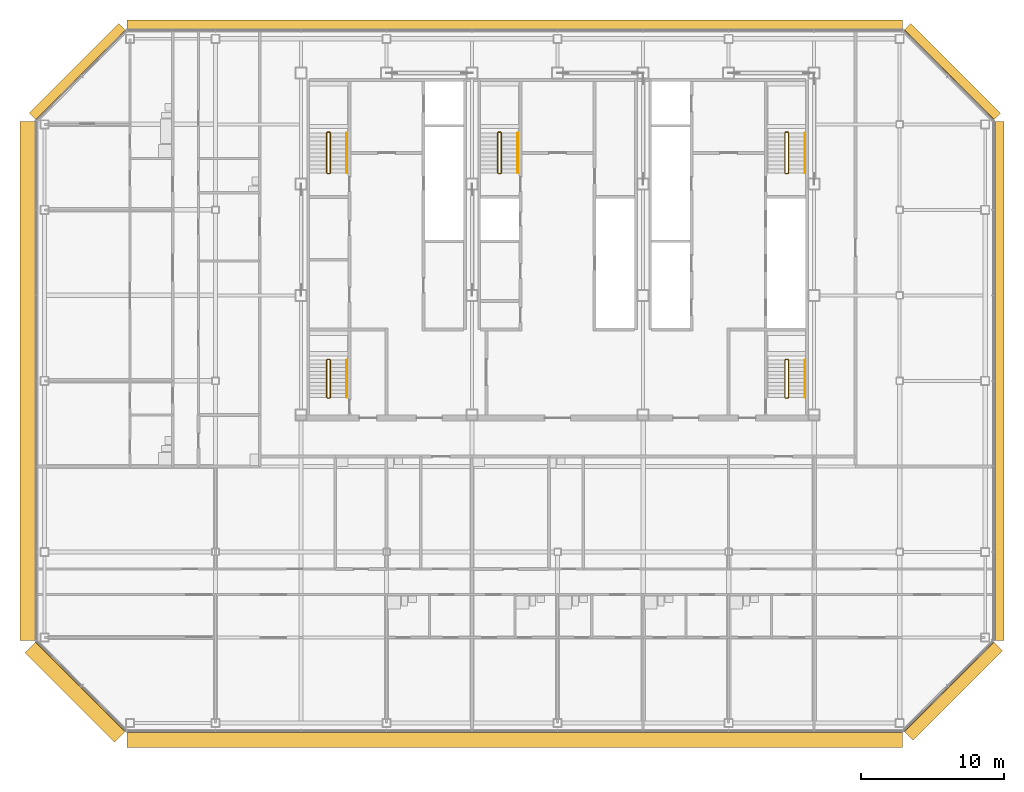
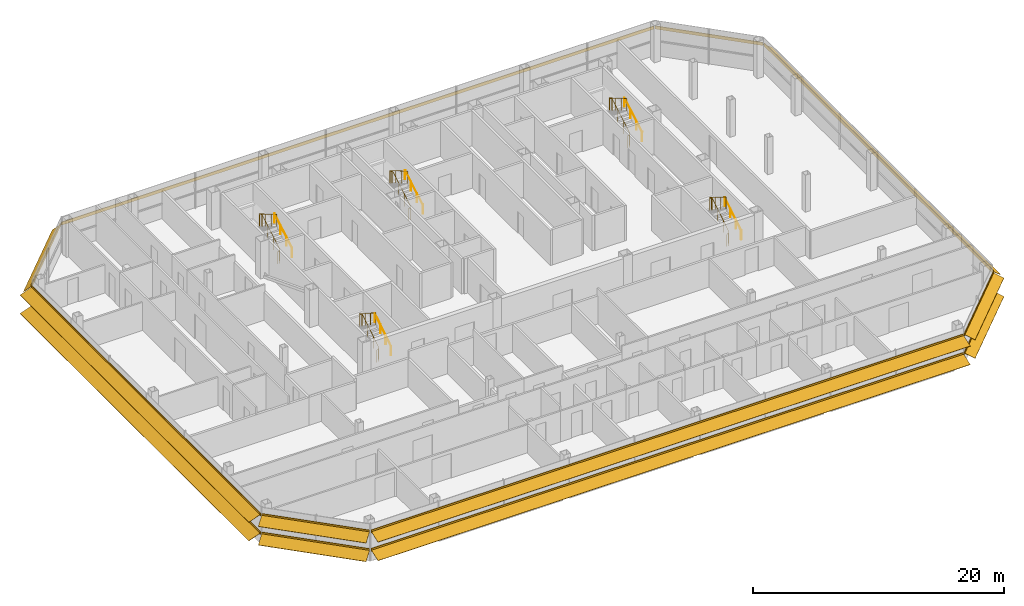
# One storey, part 27 of 28: 10 railings, 8 shading devices.
"""IFC4 building model written with IfcOpenShell, lengths in metres."""

from ifc_helpers import new_model, si_unit, direction, frame, origin, origin_2d, place, context, subcontext, project, spatial, polyline, circle, outline, composite_profile, extrude, material, type_object, element, save


model = new_model("IFC4")

# Units and contexts
model_context = context("Model", 3, precision=1e-05, world=origin(), true_north=direction((0.0, 1.0)))
body_context = subcontext(model_context, "Body", "Model", "MODEL_VIEW")
ifc_project = project(units=[si_unit("LENGTHUNIT", "METRE"), si_unit("AREAUNIT", "SQUARE_METRE"), si_unit("VOLUMEUNIT", "CUBIC_METRE"), si_unit("PLANEANGLEUNIT", "RADIAN"), si_unit("MASSUNIT", "GRAM", prefix="KILO")], contexts=[model_context])

# Site, building, storey
site_placement = place(None, origin())
site = spatial("IfcSite", under=ifc_project, at=site_placement, CompositionType="ELEMENT")
building_placement = place(site_placement, origin())
building = spatial("IfcBuilding", under=site, at=building_placement, Name="Sorahane Residences", CompositionType="ELEMENT")
storey_placement = place(building_placement, frame((0.0, 0.0, 250.39990234375)))
storey = spatial("IfcBuildingStorey", under=building, at=storey_placement, Name="L59", CompositionType="ELEMENT", Elevation=250.39990234375)

# Shading devices
ifc_material_1 = material(Name="Terracotta anodised aluminium", Category="masonry")
shading_device_type_1 = type_object("IfcShadingDeviceType", Name="Louvre sunshade blade E terracotta aluminium 700", PredefinedType="JALOUSIE", material=ifc_material_1)
shading_device_1_placement = place(storey_placement, frame((54.60009765625, 5.801513671875, 2.7001953125), z_axis=(0.0, 1.0, 0.0), x_axis=(-1.0, 0.0, 0.0)))
element("IfcShadingDevice", 1, at=shading_device_1_placement, inside=storey, type_object=shading_device_type_1, Name="Louvre sunshade blade bank E L59 E1", PredefinedType="JALOUSIE", context=body_context, shape_type="SweptSolid", body=[
    extrude(outline(polyline([(-0.719970703125, -0.49365234375), (-0.719970703125, -0.523681640625), (-0.080078125, -0.05859375), (-0.080078125, -0.14990234375), (-0.02001953125, -0.14990234375), (-0.02001953125, -0.014892578125), (-0.02001953125, 0.014892578125), (-0.02001953125, 0.14990234375), (-0.080078125, 0.14990234375), (-0.080078125, -0.028564453125), (-0.719970703125, -0.49365234375)])), origin(), (0.0, 0.0, 1.0), 36.39697265625),
])
ifc_material_2 = material(Name="Terracotta anodised aluminium", Category="masonry")
shading_device_type_2 = type_object("IfcShadingDeviceType", Name="Louvre sunshade blade N terracotta aluminium 700", PredefinedType="JALOUSIE", material=ifc_material_2)
shading_device_2_placement = place(storey_placement, frame((48.198486328125, 48.60009765625, 2.7001953125), z_axis=(-1.0, 0.0, 0.0), x_axis=(0.0, -1.0, 0.0)))
element("IfcShadingDevice", 2, at=shading_device_2_placement, inside=storey, type_object=shading_device_type_2, Name="Louvre sunshade blade bank N L59 N1", PredefinedType="JALOUSIE", context=body_context, shape_type="SweptSolid", body=[
    extrude(outline(polyline([(-0.719970703125, -0.660888671875), (-0.719970703125, -0.69091796875), (-0.080078125, -0.072998046875), (-0.080078125, -0.14990234375), (-0.02001953125, -0.14990234375), (-0.02001953125, -0.014892578125), (-0.02001953125, 0.014892578125), (-0.02001953125, 0.14990234375), (-0.080078125, 0.14990234375), (-0.080078125, -0.04296875), (-0.719970703125, -0.660888671875)])), origin(), (0.0, 0.0, 1.0), 54.39697265625),
])
ifc_material_3 = material(Name="Terracotta anodised aluminium", Category="masonry")
shading_device_type_3 = type_object("IfcShadingDeviceType", Name="Louvre sunshade blade NE terracotta aluminium 700", PredefinedType="JALOUSIE", material=ifc_material_3)
shading_device_3_placement = place(storey_placement, frame((54.564697265625, 42.283935546875, 2.7001953125), z_axis=(-0.707106781187, 0.707106781187, 0.0), x_axis=(-0.707106781187, -0.707106781187, 0.0)))
element("IfcShadingDevice", 3, at=shading_device_3_placement, inside=storey, type_object=shading_device_type_3, Name="Louvre sunshade blade bank NE L59 NE1", PredefinedType="JALOUSIE", context=body_context, shape_type="SweptSolid", body=[
    extrude(outline(polyline([(-0.719970703125, -0.572509765625), (-0.719970703125, -0.602294921875), (-0.080078125, -0.065185546875), (-0.080078125, -0.14990234375), (-0.02001953125, -0.14990234375), (-0.02001953125, -0.014892578125), (-0.02001953125, 0.014892578125), (-0.02001953125, 0.14990234375), (-0.080078125, 0.14990234375), (-0.080078125, -0.035400390625), (-0.719970703125, -0.572509765625)])), origin(), (0.0, 0.0, 1.0), 8.88232421875),
])
ifc_material_4 = material(Name="Terracotta anodised aluminium", Category="masonry")
shading_device_type_4 = type_object("IfcShadingDeviceType", Name="Louvre sunshade blade NW terracotta aluminium 700", PredefinedType="JALOUSIE", material=ifc_material_4)
shading_device_4_placement = place(storey_placement, frame((-6.283935546875, 48.564697265625, 2.7001953125), z_axis=(-0.707106781187, -0.707106781187, 0.0), x_axis=(0.707106781187, -0.707106781187, 0.0)))
element("IfcShadingDevice", 4, at=shading_device_4_placement, inside=storey, type_object=shading_device_type_4, Name="Louvre sunshade blade bank NW L59 NW1", PredefinedType="JALOUSIE", context=body_context, shape_type="SweptSolid", body=[
    extrude(outline(polyline([(-0.719970703125, -0.660888671875), (-0.719970703125, -0.69091796875), (-0.080078125, -0.072998046875), (-0.080078125, -0.14990234375), (-0.02001953125, -0.14990234375), (-0.02001953125, -0.014892578125), (-0.02001953125, 0.014892578125), (-0.02001953125, 0.14990234375), (-0.080078125, 0.14990234375), (-0.080078125, -0.04296875), (-0.719970703125, -0.660888671875)])), origin(), (0.0, 0.0, 1.0), 8.88232421875),
])
ifc_material_5 = material(Name="Terracotta anodised aluminium", Category="masonry")
shading_device_type_5 = type_object("IfcShadingDeviceType", Name="Louvre sunshade blade S terracotta aluminium 1100", PredefinedType="JALOUSIE", material=ifc_material_5)
shading_device_5_placement = place(storey_placement, frame((-6.198486328125, -0.60009765625, 0.900146484375), z_axis=(1.0, 0.0, 0.0), x_axis=(0.0, 1.0, 0.0)))
element("IfcShadingDevice", 5, at=shading_device_5_placement, inside=storey, type_object=shading_device_type_5, Name="Louvre sunshade blade bank S L59 S1", PredefinedType="JALOUSIE", context=body_context, shape_type="SweptSolid", body=[
    extrude(composite_profile([outline(polyline([(-1.1201171875, -0.385498046875), (-1.1201171875, -0.415283203125), (-0.080078125, -0.036865234375), (-0.080078125, -0.14990234375), (-0.02001953125, -0.14990234375), (-0.02001953125, -0.014892578125), (-0.02001953125, 0.014892578125), (-0.02001953125, 0.14990234375), (-0.080078125, 0.14990234375), (-0.080078125, -0.0068359375), (-1.1201171875, -0.385498046875)])), outline(polyline([(-1.1201171875, 1.41455078125), (-1.1201171875, 1.384521484375), (-0.080078125, 1.76318359375), (-0.080078125, 1.64990234375), (-0.02001953125, 1.64990234375), (-0.02001953125, 1.784912109375), (-0.02001953125, 1.81494140625), (-0.02001953125, 1.949951171875), (-0.080078125, 1.949951171875), (-0.080078125, 1.793212890625), (-1.1201171875, 1.41455078125)]))]), origin(), (0.0, 0.0, 1.0), 54.39697265625),
])
ifc_material_6 = material(Name="Terracotta anodised aluminium", Category="masonry")
shading_device_type_6 = type_object("IfcShadingDeviceType", Name="Louvre sunshade blade SE terracotta aluminium 900", PredefinedType="JALOUSIE", material=ifc_material_6)
shading_device_6_placement = place(storey_placement, frame((48.283935546875, -0.564697265625, 0.900146484375), z_axis=(0.707106781187, 0.707106781187, 0.0), x_axis=(-0.707106781187, 0.707106781187, 0.0)))
element("IfcShadingDevice", 6, at=shading_device_6_placement, inside=storey, type_object=shading_device_type_6, Name="Louvre sunshade blade bank SE L59 SE1", PredefinedType="JALOUSIE", context=body_context, shape_type="SweptSolid", body=[
    extrude(composite_profile([outline(polyline([(-0.919921875, -0.3486328125), (-0.919921875, -0.378662109375), (-0.080078125, -0.039306640625), (-0.080078125, -0.14990234375), (-0.02001953125, -0.14990234375), (-0.02001953125, -0.014892578125), (-0.02001953125, 0.014892578125), (-0.02001953125, 0.14990234375), (-0.080078125, 0.14990234375), (-0.080078125, -0.00927734375), (-0.919921875, -0.3486328125)])), outline(polyline([(-0.919921875, 1.451416015625), (-0.919921875, 1.42138671875), (-0.080078125, 1.7607421875), (-0.080078125, 1.64990234375), (-0.02001953125, 1.64990234375), (-0.02001953125, 1.784912109375), (-0.02001953125, 1.81494140625), (-0.02001953125, 1.949951171875), (-0.080078125, 1.949951171875), (-0.080078125, 1.790771484375), (-0.919921875, 1.451416015625)]))]), origin(), (0.0, 0.0, 1.0), 8.88232421875),
])
ifc_material_7 = material(Name="Terracotta anodised aluminium", Category="masonry")
shading_device_type_7 = type_object("IfcShadingDeviceType", Name="Louvre sunshade blade SW terracotta aluminium 1100", PredefinedType="JALOUSIE", material=ifc_material_7)
shading_device_7_placement = place(storey_placement, frame((-12.564697265625, 5.716064453125, 0.900146484375), z_axis=(0.707106781187, -0.707106781187, 0.0), x_axis=(0.707106781187, 0.707106781187, 0.0)))
element("IfcShadingDevice", 7, at=shading_device_7_placement, inside=storey, type_object=shading_device_type_7, Name="Louvre sunshade blade bank SW L59 SW1", PredefinedType="JALOUSIE", context=body_context, shape_type="SweptSolid", body=[
    extrude(composite_profile([outline(polyline([(-1.1201171875, -0.385498046875), (-1.1201171875, -0.415283203125), (-0.080078125, -0.036865234375), (-0.080078125, -0.14990234375), (-0.02001953125, -0.14990234375), (-0.02001953125, -0.014892578125), (-0.02001953125, 0.014892578125), (-0.02001953125, 0.14990234375), (-0.080078125, 0.14990234375), (-0.080078125, -0.0068359375), (-1.1201171875, -0.385498046875)])), outline(polyline([(-1.1201171875, 1.41455078125), (-1.1201171875, 1.384521484375), (-0.080078125, 1.76318359375), (-0.080078125, 1.64990234375), (-0.02001953125, 1.64990234375), (-0.02001953125, 1.784912109375), (-0.02001953125, 1.81494140625), (-0.02001953125, 1.949951171875), (-0.080078125, 1.949951171875), (-0.080078125, 1.793212890625), (-1.1201171875, 1.41455078125)]))]), origin(), (0.0, 0.0, 1.0), 8.88232421875),
])
ifc_material_8 = material(Name="Terracotta anodised aluminium", Category="masonry")
shading_device_type_8 = type_object("IfcShadingDeviceType", Name="Louvre sunshade blade W terracotta aluminium 1100", PredefinedType="JALOUSIE", material=ifc_material_8)
shading_device_8_placement = place(storey_placement, frame((-12.60009765625, 42.198486328125, 0.900146484375), z_axis=(0.0, -1.0, 0.0), x_axis=(1.0, 0.0, 0.0)))
element("IfcShadingDevice", 8, at=shading_device_8_placement, inside=storey, type_object=shading_device_type_8, Name="Louvre sunshade blade bank W L59 W1", PredefinedType="JALOUSIE", context=body_context, shape_type="SweptSolid", body=[
    extrude(composite_profile([outline(polyline([(-1.1201171875, -0.385498046875), (-1.1201171875, -0.415283203125), (-0.080078125, -0.036865234375), (-0.080078125, -0.14990234375), (-0.02001953125, -0.14990234375), (-0.02001953125, -0.014892578125), (-0.02001953125, 0.014892578125), (-0.02001953125, 0.14990234375), (-0.080078125, 0.14990234375), (-0.080078125, -0.0068359375), (-1.1201171875, -0.385498046875)])), outline(polyline([(-1.1201171875, 1.41455078125), (-1.1201171875, 1.384521484375), (-0.080078125, 1.76318359375), (-0.080078125, 1.64990234375), (-0.02001953125, 1.64990234375), (-0.02001953125, 1.784912109375), (-0.02001953125, 1.81494140625), (-0.02001953125, 1.949951171875), (-0.080078125, 1.949951171875), (-0.080078125, 1.793212890625), (-1.1201171875, 1.41455078125)]))]), origin(), (0.0, 0.0, 1.0), 36.39697265625),
])

# Railings
ifc_material_9 = material(Name="Steel Q355B", Category="steel")
railing_type_1 = type_object("IfcRailingType", Name="Stair guard 1200 Steel Q355B", PredefinedType="GUARDRAIL", material=ifc_material_9)
railing_1_placement = place(storey_placement, frame((7.85009765625, 38.550048828125, 0.0)))
element("IfcRailing", 9, at=railing_1_placement, inside=storey, type_object=railing_type_1, Name="L59 S1 stair guard 1", PredefinedType="GUARDRAIL", context=body_context, shape_type="SweptSolid", body=[
    extrude(circle(Radius=0.02392578125, at=origin_2d()), frame((0.0, 0.0, 1.17578125), z_axis=(1.0, 0.0, 0.0), x_axis=(0.0, 1.0, 0.0)), (0.0, 0.0, 1.0), 0.14990234375),
    extrude(circle(Radius=0.02392578125, at=origin_2d()), frame((0.14990234375, 0.0, 1.17578125), z_axis=(0.280456126637, 0.280456126637, 0.917980785237), x_axis=(-0.707106781187, 0.707106781187, 0.0)), (0.0, 0.0, 1.0), 0.178466796875),
    extrude(circle(Radius=0.02392578125, at=origin_2d()), frame((0.199951171875, 0.050048828125, 1.33984375), z_axis=(0.0, 0.863374499697, 0.504563646405), x_axis=(-1.0, 0.0, 0.0)), (0.0, 0.0, 1.0), 3.242919921875),
    extrude(circle(Radius=0.02392578125, at=origin_2d()), frame((0.199951171875, 2.849853515625, 2.97607421875), z_axis=(-0.707106781187, 0.707106781187, 0.0), x_axis=(-0.707106781187, -0.707106781187, 0.0)), (0.0, 0.0, 1.0), 0.07080078125),
    extrude(circle(Radius=0.02392578125, at=origin_2d()), frame((0.14990234375, 2.89990234375, 2.97607421875), z_axis=(-1.0, 0.0, 0.0), x_axis=(0.0, -1.0, 0.0)), (0.0, 0.0, 1.0), 0.14990234375),
    extrude(circle(Radius=0.02392578125, at=origin_2d()), frame((0.0, 2.89990234375, 2.97607421875), z_axis=(-0.280808744504, -0.280808744504, 0.917765164963), x_axis=(0.707106781187, -0.707106781187, 0.0)), (0.0, 0.0, 1.0), 0.17822265625),
    extrude(circle(Radius=0.02392578125, at=origin_2d()), frame((-0.050048828125, 2.849853515625, 3.1396484375), z_axis=(0.0, -0.863341702679, 0.504619762213), x_axis=(1.0, 0.0, 0.0)), (0.0, 0.0, 1.0), 3.242919921875),
    extrude(circle(Radius=0.02099609375, at=origin_2d()), origin(), (0.0, 0.0, 1.0), 1.15185546875),
    extrude(circle(Radius=0.02099609375, at=origin_2d()), frame((0.14990234375, 0.0, 0.0)), (0.0, 0.0, 1.0), 1.15185546875),
    extrude(circle(Radius=0.02099609375, at=origin_2d()), frame((0.199951171875, 0.050048828125, 0.163818359375)), (0.0, 0.0, 1.0), 1.15185546875),
    extrude(circle(Radius=0.02099609375, at=origin_2d()), frame((0.199951171875, 0.9833984375, 0.709228515625)), (0.0, 0.0, 1.0), 1.15185546875),
    extrude(circle(Radius=0.02099609375, at=origin_2d()), frame((0.199951171875, 1.91650390625, 1.254638671875)), (0.0, 0.0, 1.0), 1.15185546875),
    extrude(circle(Radius=0.02099609375, at=origin_2d()), frame((0.199951171875, 2.849853515625, 1.800048828125)), (0.0, 0.0, 1.0), 1.15185546875),
    extrude(circle(Radius=0.02099609375, at=origin_2d()), frame((0.14990234375, 2.89990234375, 1.800048828125)), (0.0, 0.0, 1.0), 1.15185546875),
    extrude(circle(Radius=0.02099609375, at=origin_2d()), frame((0.0, 2.89990234375, 1.800048828125)), (0.0, 0.0, 1.0), 1.15185546875),
    extrude(circle(Radius=0.02099609375, at=origin_2d()), frame((-0.050048828125, 2.849853515625, 1.963623046875)), (0.0, 0.0, 1.0), 1.15185546875),
    extrude(circle(Radius=0.02099609375, at=origin_2d()), frame((-0.050048828125, 1.91650390625, 2.509033203125)), (0.0, 0.0, 1.0), 1.15185546875),
    extrude(circle(Radius=0.02099609375, at=origin_2d()), frame((-0.050048828125, 0.9833984375, 3.0546875)), (0.0, 0.0, 1.0), 1.15185546875),
    extrude(circle(Radius=0.02099609375, at=origin_2d()), frame((-0.050048828125, 0.050048828125, 3.60009765625)), (0.0, 0.0, 1.0), 1.15185546875),
])
railing_2_placement = place(storey_placement, frame((40.0, 38.550048828125, 0.0)))
element("IfcRailing", 10, at=railing_2_placement, inside=storey, type_object=railing_type_1, Name="L59 S2 stair guard 1", PredefinedType="GUARDRAIL", context=body_context, shape_type="SweptSolid", body=[
    extrude(circle(Radius=0.02392578125, at=origin_2d()), frame((0.0, 0.0, 1.17578125), z_axis=(1.0, 0.0, 0.0), x_axis=(0.0, 1.0, 0.0)), (0.0, 0.0, 1.0), 0.14990234375),
    extrude(circle(Radius=0.02392578125, at=origin_2d()), frame((0.14990234375, 0.0, 1.17578125), z_axis=(0.280456126637, 0.280456126637, 0.917980785237), x_axis=(-0.707106781187, 0.707106781187, 0.0)), (0.0, 0.0, 1.0), 0.178466796875),
    extrude(circle(Radius=0.02392578125, at=origin_2d()), frame((0.199951171875, 0.050048828125, 1.33984375), z_axis=(0.0, 0.863374499697, 0.504563646405), x_axis=(-1.0, 0.0, 0.0)), (0.0, 0.0, 1.0), 3.242919921875),
    extrude(circle(Radius=0.02392578125, at=origin_2d()), frame((0.199951171875, 2.849853515625, 2.97607421875), z_axis=(-0.707106781187, 0.707106781187, 0.0), x_axis=(-0.707106781187, -0.707106781187, 0.0)), (0.0, 0.0, 1.0), 0.07080078125),
    extrude(circle(Radius=0.02392578125, at=origin_2d()), frame((0.14990234375, 2.89990234375, 2.97607421875), z_axis=(-1.0, 0.0, 0.0), x_axis=(0.0, -1.0, 0.0)), (0.0, 0.0, 1.0), 0.14990234375),
    extrude(circle(Radius=0.02392578125, at=origin_2d()), frame((0.0, 2.89990234375, 2.97607421875), z_axis=(-0.280808744504, -0.280808744504, 0.917765164963), x_axis=(0.707106781187, -0.707106781187, 0.0)), (0.0, 0.0, 1.0), 0.17822265625),
    extrude(circle(Radius=0.02392578125, at=origin_2d()), frame((-0.050048828125, 2.849853515625, 3.1396484375), z_axis=(0.0, -0.863341702679, 0.504619762213), x_axis=(1.0, 0.0, 0.0)), (0.0, 0.0, 1.0), 3.242919921875),
    extrude(circle(Radius=0.02099609375, at=origin_2d()), origin(), (0.0, 0.0, 1.0), 1.15185546875),
    extrude(circle(Radius=0.02099609375, at=origin_2d()), frame((0.14990234375, 0.0, 0.0)), (0.0, 0.0, 1.0), 1.15185546875),
    extrude(circle(Radius=0.02099609375, at=origin_2d()), frame((0.199951171875, 0.050048828125, 0.163818359375)), (0.0, 0.0, 1.0), 1.15185546875),
    extrude(circle(Radius=0.02099609375, at=origin_2d()), frame((0.199951171875, 0.9833984375, 0.709228515625)), (0.0, 0.0, 1.0), 1.15185546875),
    extrude(circle(Radius=0.02099609375, at=origin_2d()), frame((0.199951171875, 1.91650390625, 1.254638671875)), (0.0, 0.0, 1.0), 1.15185546875),
    extrude(circle(Radius=0.02099609375, at=origin_2d()), frame((0.199951171875, 2.849853515625, 1.800048828125)), (0.0, 0.0, 1.0), 1.15185546875),
    extrude(circle(Radius=0.02099609375, at=origin_2d()), frame((0.14990234375, 2.89990234375, 1.800048828125)), (0.0, 0.0, 1.0), 1.15185546875),
    extrude(circle(Radius=0.02099609375, at=origin_2d()), frame((0.0, 2.89990234375, 1.800048828125)), (0.0, 0.0, 1.0), 1.15185546875),
    extrude(circle(Radius=0.02099609375, at=origin_2d()), frame((-0.050048828125, 2.849853515625, 1.963623046875)), (0.0, 0.0, 1.0), 1.15185546875),
    extrude(circle(Radius=0.02099609375, at=origin_2d()), frame((-0.050048828125, 1.91650390625, 2.509033203125)), (0.0, 0.0, 1.0), 1.15185546875),
    extrude(circle(Radius=0.02099609375, at=origin_2d()), frame((-0.050048828125, 0.9833984375, 3.0546875)), (0.0, 0.0, 1.0), 1.15185546875),
    extrude(circle(Radius=0.02099609375, at=origin_2d()), frame((-0.050048828125, 0.050048828125, 3.60009765625)), (0.0, 0.0, 1.0), 1.15185546875),
])
railing_3_placement = place(storey_placement, frame((19.85009765625, 38.550048828125, 0.0)))
element("IfcRailing", 11, at=railing_3_placement, inside=storey, type_object=railing_type_1, Name="L59 S3 stair guard 1", PredefinedType="GUARDRAIL", context=body_context, shape_type="SweptSolid", body=[
    extrude(circle(Radius=0.02392578125, at=origin_2d()), frame((0.0, 0.0, 1.17578125), z_axis=(1.0, 0.0, 0.0), x_axis=(0.0, 1.0, 0.0)), (0.0, 0.0, 1.0), 0.14990234375),
    extrude(circle(Radius=0.02392578125, at=origin_2d()), frame((0.14990234375, 0.0, 1.17578125), z_axis=(0.280456126637, 0.280456126637, 0.917980785237), x_axis=(-0.707106781187, 0.707106781187, 0.0)), (0.0, 0.0, 1.0), 0.178466796875),
    extrude(circle(Radius=0.02392578125, at=origin_2d()), frame((0.199951171875, 0.050048828125, 1.33984375), z_axis=(0.0, 0.863374499697, 0.504563646405), x_axis=(-1.0, 0.0, 0.0)), (0.0, 0.0, 1.0), 3.242919921875),
    extrude(circle(Radius=0.02392578125, at=origin_2d()), frame((0.199951171875, 2.849853515625, 2.97607421875), z_axis=(-0.707106781187, 0.707106781187, 0.0), x_axis=(-0.707106781187, -0.707106781187, 0.0)), (0.0, 0.0, 1.0), 0.07080078125),
    extrude(circle(Radius=0.02392578125, at=origin_2d()), frame((0.14990234375, 2.89990234375, 2.97607421875), z_axis=(-1.0, 0.0, 0.0), x_axis=(0.0, -1.0, 0.0)), (0.0, 0.0, 1.0), 0.14990234375),
    extrude(circle(Radius=0.02392578125, at=origin_2d()), frame((0.0, 2.89990234375, 2.97607421875), z_axis=(-0.280808744504, -0.280808744504, 0.917765164963), x_axis=(0.707106781187, -0.707106781187, 0.0)), (0.0, 0.0, 1.0), 0.17822265625),
    extrude(circle(Radius=0.02392578125, at=origin_2d()), frame((-0.050048828125, 2.849853515625, 3.1396484375), z_axis=(0.0, -0.863341702679, 0.504619762213), x_axis=(1.0, 0.0, 0.0)), (0.0, 0.0, 1.0), 3.242919921875),
    extrude(circle(Radius=0.02099609375, at=origin_2d()), origin(), (0.0, 0.0, 1.0), 1.15185546875),
    extrude(circle(Radius=0.02099609375, at=origin_2d()), frame((0.14990234375, 0.0, 0.0)), (0.0, 0.0, 1.0), 1.15185546875),
    extrude(circle(Radius=0.02099609375, at=origin_2d()), frame((0.199951171875, 0.050048828125, 0.163818359375)), (0.0, 0.0, 1.0), 1.15185546875),
    extrude(circle(Radius=0.02099609375, at=origin_2d()), frame((0.199951171875, 0.9833984375, 0.709228515625)), (0.0, 0.0, 1.0), 1.15185546875),
    extrude(circle(Radius=0.02099609375, at=origin_2d()), frame((0.199951171875, 1.91650390625, 1.254638671875)), (0.0, 0.0, 1.0), 1.15185546875),
    extrude(circle(Radius=0.02099609375, at=origin_2d()), frame((0.199951171875, 2.849853515625, 1.800048828125)), (0.0, 0.0, 1.0), 1.15185546875),
    extrude(circle(Radius=0.02099609375, at=origin_2d()), frame((0.14990234375, 2.89990234375, 1.800048828125)), (0.0, 0.0, 1.0), 1.15185546875),
    extrude(circle(Radius=0.02099609375, at=origin_2d()), frame((0.0, 2.89990234375, 1.800048828125)), (0.0, 0.0, 1.0), 1.15185546875),
    extrude(circle(Radius=0.02099609375, at=origin_2d()), frame((-0.050048828125, 2.849853515625, 1.963623046875)), (0.0, 0.0, 1.0), 1.15185546875),
    extrude(circle(Radius=0.02099609375, at=origin_2d()), frame((-0.050048828125, 1.91650390625, 2.509033203125)), (0.0, 0.0, 1.0), 1.15185546875),
    extrude(circle(Radius=0.02099609375, at=origin_2d()), frame((-0.050048828125, 0.9833984375, 3.0546875)), (0.0, 0.0, 1.0), 1.15185546875),
    extrude(circle(Radius=0.02099609375, at=origin_2d()), frame((-0.050048828125, 0.050048828125, 3.60009765625)), (0.0, 0.0, 1.0), 1.15185546875),
])
railing_4_placement = place(storey_placement, frame((7.85009765625, 22.800048828125, 0.0)))
element("IfcRailing", 12, at=railing_4_placement, inside=storey, type_object=railing_type_1, Name="L59 S4 stair guard 1", PredefinedType="GUARDRAIL", context=body_context, shape_type="SweptSolid", body=[
    extrude(circle(Radius=0.02392578125, at=origin_2d()), frame((0.0, 0.0, 1.17578125), z_axis=(1.0, 0.0, 0.0), x_axis=(0.0, 1.0, 0.0)), (0.0, 0.0, 1.0), 0.14990234375),
    extrude(circle(Radius=0.02392578125, at=origin_2d()), frame((0.14990234375, 0.0, 1.17578125), z_axis=(0.280456126637, 0.280456126637, 0.917980785237), x_axis=(-0.707106781187, 0.707106781187, 0.0)), (0.0, 0.0, 1.0), 0.178466796875),
    extrude(circle(Radius=0.02392578125, at=origin_2d()), frame((0.199951171875, 0.050048828125, 1.33984375), z_axis=(0.0, 0.846337672412, 0.532646734952), x_axis=(-1.0, 0.0, 0.0)), (0.0, 0.0, 1.0), 3.07177734375),
    extrude(circle(Radius=0.02392578125, at=origin_2d()), frame((0.199951171875, 2.64990234375, 2.97607421875), z_axis=(-0.707106781187, 0.707106781187, 0.0), x_axis=(-0.707106781187, -0.707106781187, 0.0)), (0.0, 0.0, 1.0), 0.07080078125),
    extrude(circle(Radius=0.02392578125, at=origin_2d()), frame((0.14990234375, 2.699951171875, 2.97607421875), z_axis=(-1.0, 0.0, 0.0), x_axis=(0.0, -1.0, 0.0)), (0.0, 0.0, 1.0), 0.14990234375),
    extrude(circle(Radius=0.02392578125, at=origin_2d()), frame((0.0, 2.699951171875, 2.97607421875), z_axis=(-0.280808744504, -0.280808744504, 0.917765164963), x_axis=(0.707106781187, -0.707106781187, 0.0)), (0.0, 0.0, 1.0), 0.17822265625),
    extrude(circle(Radius=0.02392578125, at=origin_2d()), frame((-0.050048828125, 2.64990234375, 3.1396484375), z_axis=(0.0, -0.846301844409, 0.532703658848), x_axis=(1.0, 0.0, 0.0)), (0.0, 0.0, 1.0), 3.072021484375),
    extrude(circle(Radius=0.02099609375, at=origin_2d()), origin(), (0.0, 0.0, 1.0), 1.15185546875),
    extrude(circle(Radius=0.02099609375, at=origin_2d()), frame((0.14990234375, 0.0, 0.0)), (0.0, 0.0, 1.0), 1.15185546875),
    extrude(circle(Radius=0.02099609375, at=origin_2d()), frame((0.199951171875, 0.050048828125, 0.163818359375)), (0.0, 0.0, 1.0), 1.15185546875),
    extrude(circle(Radius=0.02099609375, at=origin_2d()), frame((0.199951171875, 0.916748046875, 0.709228515625)), (0.0, 0.0, 1.0), 1.15185546875),
    extrude(circle(Radius=0.02099609375, at=origin_2d()), frame((0.199951171875, 1.783203125, 1.254638671875)), (0.0, 0.0, 1.0), 1.15185546875),
    extrude(circle(Radius=0.02099609375, at=origin_2d()), frame((0.199951171875, 2.64990234375, 1.800048828125)), (0.0, 0.0, 1.0), 1.15185546875),
    extrude(circle(Radius=0.02099609375, at=origin_2d()), frame((0.14990234375, 2.699951171875, 1.800048828125)), (0.0, 0.0, 1.0), 1.15185546875),
    extrude(circle(Radius=0.02099609375, at=origin_2d()), frame((0.0, 2.699951171875, 1.800048828125)), (0.0, 0.0, 1.0), 1.15185546875),
    extrude(circle(Radius=0.02099609375, at=origin_2d()), frame((-0.050048828125, 2.64990234375, 1.963623046875)), (0.0, 0.0, 1.0), 1.15185546875),
    extrude(circle(Radius=0.02099609375, at=origin_2d()), frame((-0.050048828125, 1.783203125, 2.509033203125)), (0.0, 0.0, 1.0), 1.15185546875),
    extrude(circle(Radius=0.02099609375, at=origin_2d()), frame((-0.050048828125, 0.916748046875, 3.0546875)), (0.0, 0.0, 1.0), 1.15185546875),
    extrude(circle(Radius=0.02099609375, at=origin_2d()), frame((-0.050048828125, 0.050048828125, 3.60009765625)), (0.0, 0.0, 1.0), 1.15185546875),
])
railing_5_placement = place(storey_placement, frame((40.0, 22.800048828125, 0.0)))
element("IfcRailing", 13, at=railing_5_placement, inside=storey, type_object=railing_type_1, Name="L59 S5 stair guard 1", PredefinedType="GUARDRAIL", context=body_context, shape_type="SweptSolid", body=[
    extrude(circle(Radius=0.02392578125, at=origin_2d()), frame((0.0, 0.0, 1.17578125), z_axis=(1.0, 0.0, 0.0), x_axis=(0.0, 1.0, 0.0)), (0.0, 0.0, 1.0), 0.14990234375),
    extrude(circle(Radius=0.02392578125, at=origin_2d()), frame((0.14990234375, 0.0, 1.17578125), z_axis=(0.280456126637, 0.280456126637, 0.917980785237), x_axis=(-0.707106781187, 0.707106781187, 0.0)), (0.0, 0.0, 1.0), 0.178466796875),
    extrude(circle(Radius=0.02392578125, at=origin_2d()), frame((0.199951171875, 0.050048828125, 1.33984375), z_axis=(0.0, 0.846337672412, 0.532646734952), x_axis=(-1.0, 0.0, 0.0)), (0.0, 0.0, 1.0), 3.07177734375),
    extrude(circle(Radius=0.02392578125, at=origin_2d()), frame((0.199951171875, 2.64990234375, 2.97607421875), z_axis=(-0.707106781187, 0.707106781187, 0.0), x_axis=(-0.707106781187, -0.707106781187, 0.0)), (0.0, 0.0, 1.0), 0.07080078125),
    extrude(circle(Radius=0.02392578125, at=origin_2d()), frame((0.14990234375, 2.699951171875, 2.97607421875), z_axis=(-1.0, 0.0, 0.0), x_axis=(0.0, -1.0, 0.0)), (0.0, 0.0, 1.0), 0.14990234375),
    extrude(circle(Radius=0.02392578125, at=origin_2d()), frame((0.0, 2.699951171875, 2.97607421875), z_axis=(-0.280808744504, -0.280808744504, 0.917765164963), x_axis=(0.707106781187, -0.707106781187, 0.0)), (0.0, 0.0, 1.0), 0.17822265625),
    extrude(circle(Radius=0.02392578125, at=origin_2d()), frame((-0.050048828125, 2.64990234375, 3.1396484375), z_axis=(0.0, -0.846301844409, 0.532703658848), x_axis=(1.0, 0.0, 0.0)), (0.0, 0.0, 1.0), 3.072021484375),
    extrude(circle(Radius=0.02099609375, at=origin_2d()), origin(), (0.0, 0.0, 1.0), 1.15185546875),
    extrude(circle(Radius=0.02099609375, at=origin_2d()), frame((0.14990234375, 0.0, 0.0)), (0.0, 0.0, 1.0), 1.15185546875),
    extrude(circle(Radius=0.02099609375, at=origin_2d()), frame((0.199951171875, 0.050048828125, 0.163818359375)), (0.0, 0.0, 1.0), 1.15185546875),
    extrude(circle(Radius=0.02099609375, at=origin_2d()), frame((0.199951171875, 0.916748046875, 0.709228515625)), (0.0, 0.0, 1.0), 1.15185546875),
    extrude(circle(Radius=0.02099609375, at=origin_2d()), frame((0.199951171875, 1.783203125, 1.254638671875)), (0.0, 0.0, 1.0), 1.15185546875),
    extrude(circle(Radius=0.02099609375, at=origin_2d()), frame((0.199951171875, 2.64990234375, 1.800048828125)), (0.0, 0.0, 1.0), 1.15185546875),
    extrude(circle(Radius=0.02099609375, at=origin_2d()), frame((0.14990234375, 2.699951171875, 1.800048828125)), (0.0, 0.0, 1.0), 1.15185546875),
    extrude(circle(Radius=0.02099609375, at=origin_2d()), frame((0.0, 2.699951171875, 1.800048828125)), (0.0, 0.0, 1.0), 1.15185546875),
    extrude(circle(Radius=0.02099609375, at=origin_2d()), frame((-0.050048828125, 2.64990234375, 1.963623046875)), (0.0, 0.0, 1.0), 1.15185546875),
    extrude(circle(Radius=0.02099609375, at=origin_2d()), frame((-0.050048828125, 1.783203125, 2.509033203125)), (0.0, 0.0, 1.0), 1.15185546875),
    extrude(circle(Radius=0.02099609375, at=origin_2d()), frame((-0.050048828125, 0.916748046875, 3.0546875)), (0.0, 0.0, 1.0), 1.15185546875),
    extrude(circle(Radius=0.02099609375, at=origin_2d()), frame((-0.050048828125, 0.050048828125, 3.60009765625)), (0.0, 0.0, 1.0), 1.15185546875),
])
ifc_material_10 = material(Name="Steel Q355B", Category="steel")
railing_type_2 = type_object("IfcRailingType", Name="Stair handrail 900 Steel Q355B", PredefinedType="HANDRAIL", material=ifc_material_10)
for number, where, name in (
    (14, (9.199951171875, 38.60009765625, 0.163818359375), "L59 S1 stair handrail 1"),
    (15, (41.35009765625, 38.60009765625, 0.163818359375), "L59 S2 stair handrail 1"),
    (16, (21.199951171875, 38.60009765625, 0.163818359375), "L59 S3 stair handrail 1"),
):
    element("IfcRailing", number, at=place(storey_placement, frame(where)), inside=storey, type_object=railing_type_2, Name=name, PredefinedType="HANDRAIL", context=body_context, shape_type="SweptSolid", body=[
        extrude(circle(Radius=0.02392578125, at=origin_2d()), frame((0.0, 0.0, 0.8759765625), z_axis=(0.0, 0.863374499697, 0.504563646405), x_axis=(-1.0, 0.0, 0.0)), (0.0, 0.0, 1.0), 3.242919921875),
        extrude(circle(Radius=0.02099609375, at=origin_2d()), origin(), (0.0, 0.0, 1.0), 0.851806640625),
        extrude(circle(Radius=0.02099609375, at=origin_2d()), frame((0.0, 0.933349609375, 0.54541015625)), (0.0, 0.0, 1.0), 0.851806640625),
        extrude(circle(Radius=0.02099609375, at=origin_2d()), frame((0.0, 1.866455078125, 1.0908203125)), (0.0, 0.0, 1.0), 0.851806640625),
        extrude(circle(Radius=0.02099609375, at=origin_2d()), frame((0.0, 2.7998046875, 1.63623046875)), (0.0, 0.0, 1.0), 0.851806640625),
    ])
for number, where, name in (
    (17, (9.199951171875, 22.85009765625, 0.163818359375), "L59 S4 stair handrail 1"),
    (18, (41.35009765625, 22.85009765625, 0.163818359375), "L59 S5 stair handrail 1"),
):
    element("IfcRailing", number, at=place(storey_placement, frame(where)), inside=storey, type_object=railing_type_2, Name=name, PredefinedType="HANDRAIL", context=body_context, shape_type="SweptSolid", body=[
        extrude(circle(Radius=0.02392578125, at=origin_2d()), frame((0.0, 0.0, 0.8759765625), z_axis=(0.0, 0.846337672412, 0.532646734952), x_axis=(-1.0, 0.0, 0.0)), (0.0, 0.0, 1.0), 3.07177734375),
        extrude(circle(Radius=0.02099609375, at=origin_2d()), origin(), (0.0, 0.0, 1.0), 0.851806640625),
        extrude(circle(Radius=0.02099609375, at=origin_2d()), frame((0.0, 0.86669921875, 0.54541015625)), (0.0, 0.0, 1.0), 0.851806640625),
        extrude(circle(Radius=0.02099609375, at=origin_2d()), frame((0.0, 1.733154296875, 1.0908203125)), (0.0, 0.0, 1.0), 0.851806640625),
        extrude(circle(Radius=0.02099609375, at=origin_2d()), frame((0.0, 2.599853515625, 1.63623046875)), (0.0, 0.0, 1.0), 0.851806640625),
    ])

save(model, "model.ifc")
